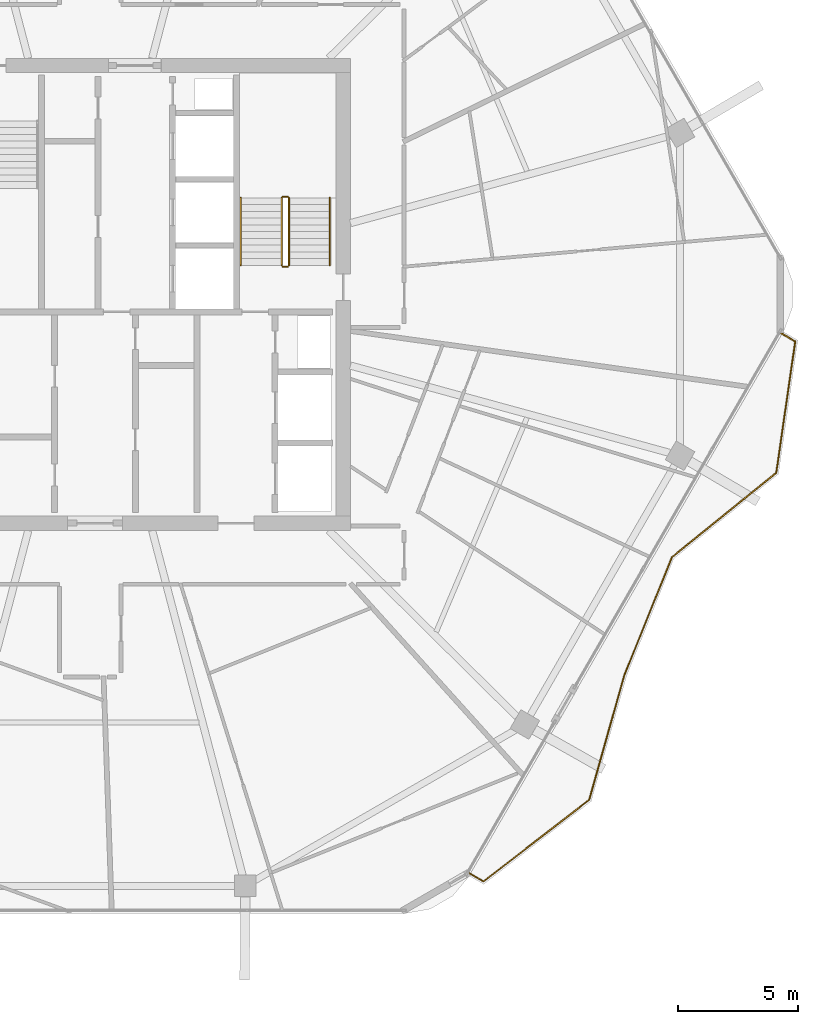
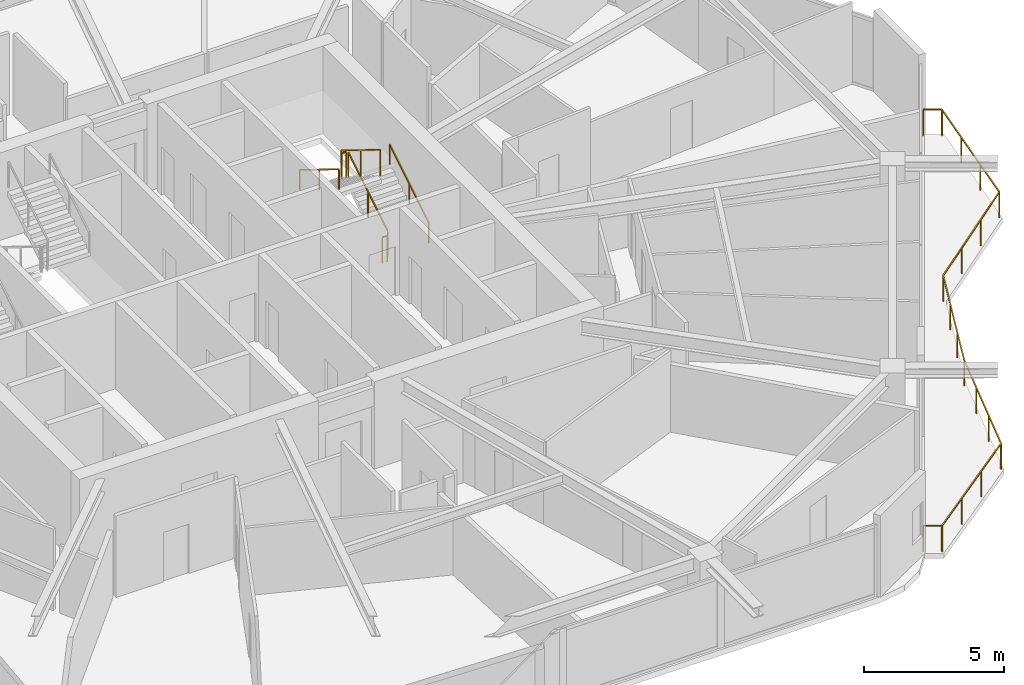
# One storey, part 24 of 25: 7 railings.
"""IFC4 building model written with IfcOpenShell, lengths in metres."""

from ifc_helpers import new_model, si_unit, direction, frame, origin, origin_2d, place, context, subcontext, project, spatial, rectangle, extrude, material, type_object, element, save


model = new_model("IFC4")

# Units and contexts
model_context = context("Model", 3, precision=1e-05, world=origin(), true_north=direction((0.0, 1.0)))
body_context = subcontext(model_context, "Body", "Model", "MODEL_VIEW")
ifc_project = project(units=[si_unit("LENGTHUNIT", "METRE"), si_unit("AREAUNIT", "SQUARE_METRE"), si_unit("VOLUMEUNIT", "CUBIC_METRE"), si_unit("PLANEANGLEUNIT", "RADIAN"), si_unit("MASSUNIT", "GRAM", prefix="KILO")], contexts=[model_context])

# Site, building, storey
site_placement = place(None, origin())
site = spatial("IfcSite", under=ifc_project, at=site_placement, CompositionType="ELEMENT")
building_placement = place(site_placement, origin())
building = spatial("IfcBuilding", under=site, at=building_placement, Name="Zuhravey Tower", CompositionType="ELEMENT")
storey_placement = place(building_placement, frame((0.0, 0.0, 235.0)))
storey = spatial("IfcBuildingStorey", under=building, at=storey_placement, Name="L59", CompositionType="ELEMENT", Elevation=235.0)

# Railings
ifc_material_1 = material(Name="Stainless steel 316 and laminated glass", Category="steel")
railing_type_1 = type_object("IfcRailingType", Name="Balcony & Terrace Guardrail 1150", PredefinedType="BALUSTRADE", material=ifc_material_1)
railing_1_placement = place(storey_placement, frame((64.68310546875, 30.38330078125, 0.0)))
element("IfcRailing", 1, at=railing_1_placement, inside=storey, type_object=railing_type_1, Name="L59 Face 6 Wave Balcony Guardrail GR1", PredefinedType="BALUSTRADE", context=body_context, shape_type="SweptSolid", body=[
    extrude(rectangle(XDim=0.048095703125, YDim=0.048095703125, at=origin_2d()), frame((0.001708984375, -0.0009765625, 1.1259765625), z_axis=(0.866179539737, -0.499732933617, 0.0), x_axis=(0.499732933617, 0.866179539737, 0.0)), (0.0, 0.0, 1.0), 0.668212890625),
    extrude(rectangle(XDim=0.048095703125, YDim=0.048095703125, at=origin_2d()), frame((0.58203125, -0.337890625, 1.1259765625), z_axis=(-0.142872523285, -0.989741098515, 0.0), x_axis=(0.989741098515, -0.142872523285, 0.0)), (0.0, 0.0, 1.0), 5.5068359375),
    extrude(rectangle(XDim=0.048095703125, YDim=0.048095703125, at=origin_2d()), frame((-0.20654296875, -5.79150390625, 1.1259765625), z_axis=(-0.777495644755, -0.628888322668, 0.0), x_axis=(0.628888322668, -0.777495644755, 0.0)), (0.0, 0.0, 1.0), 5.57177734375),
    extrude(rectangle(XDim=0.048095703125, YDim=0.048095703125, at=origin_2d()), frame((-4.541015625, -9.298828125, 1.1259765625), z_axis=(-0.373224411215, -0.927741094742, 0.0), x_axis=(0.927741094742, -0.373224411215, 0.0)), (0.0, 0.0, 1.0), 5.29638671875),
    extrude(rectangle(XDim=0.048095703125, YDim=0.048095703125, at=origin_2d()), frame((-6.51904296875, -14.21630859375, 1.1259765625), z_axis=(-0.271533809099, -0.962428901538, 0.0), x_axis=(0.962428901538, -0.271533809099, 0.0)), (0.0, 0.0, 1.0), 5.350341796875),
    extrude(rectangle(XDim=0.048095703125, YDim=0.048095703125, at=origin_2d()), frame((-7.973876953125, -19.36865234375, 1.1259765625), z_axis=(-0.79172866707, -0.610872914557, 0.0), x_axis=(0.610872914557, -0.79172866707, 0.0)), (0.0, 0.0, 1.0), 5.5361328125),
    extrude(rectangle(XDim=0.048095703125, YDim=0.048095703125, at=origin_2d()), frame((-12.3603515625, -22.750732421875, 1.1259765625), z_axis=(-0.866046626695, 0.499963239039, 0.0), x_axis=(-0.499963239039, -0.866046626695, 0.0)), (0.0, 0.0, 1.0), 0.6689453125),
    extrude(rectangle(XDim=0.0419921875, YDim=0.0419921875, at=origin_2d()), origin(), (0.0, 0.0, 1.0), 1.099853515625),
    extrude(rectangle(XDim=0.0419921875, YDim=0.0419921875, at=origin_2d()), frame((0.582275390625, -0.3359375, 0.0)), (0.0, 0.0, 1.0), 1.099853515625),
    extrude(rectangle(XDim=0.0419921875, YDim=0.0419921875, at=origin_2d()), frame((0.31982421875, -2.154052734375, 0.0)), (0.0, 0.0, 1.0), 1.099853515625),
    extrude(rectangle(XDim=0.0419921875, YDim=0.0419921875, at=origin_2d()), frame((0.057373046875, -3.97216796875, 0.0)), (0.0, 0.0, 1.0), 1.099853515625),
    extrude(rectangle(XDim=0.0419921875, YDim=0.0419921875, at=origin_2d()), frame((-0.205078125, -5.790283203125, 0.0)), (0.0, 0.0, 1.0), 1.099853515625),
    extrude(rectangle(XDim=0.0419921875, YDim=0.0419921875, at=origin_2d()), frame((-1.650146484375, -6.959228515625, 0.0)), (0.0, 0.0, 1.0), 1.099853515625),
    extrude(rectangle(XDim=0.0419921875, YDim=0.0419921875, at=origin_2d()), frame((-3.09521484375, -8.1279296875, 0.0)), (0.0, 0.0, 1.0), 1.099853515625),
    extrude(rectangle(XDim=0.0419921875, YDim=0.0419921875, at=origin_2d()), frame((-4.540283203125, -9.296875, 0.0)), (0.0, 0.0, 1.0), 1.099853515625),
    extrude(rectangle(XDim=0.0419921875, YDim=0.0419921875, at=origin_2d()), frame((-5.19970703125, -10.93603515625, 0.0)), (0.0, 0.0, 1.0), 1.099853515625),
    extrude(rectangle(XDim=0.0419921875, YDim=0.0419921875, at=origin_2d()), frame((-5.859130859375, -12.5751953125, 0.0)), (0.0, 0.0, 1.0), 1.099853515625),
    extrude(rectangle(XDim=0.0419921875, YDim=0.0419921875, at=origin_2d()), frame((-6.5185546875, -14.21435546875, 0.0)), (0.0, 0.0, 1.0), 1.099853515625),
    extrude(rectangle(XDim=0.0419921875, YDim=0.0419921875, at=origin_2d()), frame((-7.003173828125, -15.93212890625, 0.0)), (0.0, 0.0, 1.0), 1.099853515625),
    extrude(rectangle(XDim=0.0419921875, YDim=0.0419921875, at=origin_2d()), frame((-7.48779296875, -17.649658203125, 0.0)), (0.0, 0.0, 1.0), 1.099853515625),
    extrude(rectangle(XDim=0.0419921875, YDim=0.0419921875, at=origin_2d()), frame((-7.972412109375, -19.367431640625, 0.0)), (0.0, 0.0, 1.0), 1.099853515625),
    extrude(rectangle(XDim=0.0419921875, YDim=0.0419921875, at=origin_2d()), frame((-9.4345703125, -20.49560546875, 0.0)), (0.0, 0.0, 1.0), 1.099853515625),
    extrude(rectangle(XDim=0.0419921875, YDim=0.0419921875, at=origin_2d()), frame((-10.896484375, -21.62353515625, 0.0)), (0.0, 0.0, 1.0), 1.099853515625),
    extrude(rectangle(XDim=0.0419921875, YDim=0.0419921875, at=origin_2d()), frame((-12.358642578125, -22.751708984375, 0.0)), (0.0, 0.0, 1.0), 1.099853515625),
    extrude(rectangle(XDim=0.0419921875, YDim=0.0419921875, at=origin_2d()), frame((-12.94140625, -22.415283203125, 0.0)), (0.0, 0.0, 1.0), 1.099853515625),
])
ifc_material_2 = material(Name="Brushed stainless steel", Category="steel")
railing_type_2 = type_object("IfcRailingType", Name="Stair Wall Handrail 900", PredefinedType="HANDRAIL", material=ifc_material_2)
railing_2_placement = place(storey_placement, frame((45.949951171875, 33.199951171875, 0.172607421875)))
element("IfcRailing", 2, at=railing_2_placement, inside=storey, type_object=railing_type_2, Name="L59 ST2 stair handrail 1", PredefinedType="HANDRAIL", context=body_context, shape_type="SweptSolid", body=[
    extrude(rectangle(XDim=0.048095703125, YDim=0.048095703125, at=origin_2d()), frame((0.0, 0.001708984375, 0.876953125), z_axis=(0.0, 0.851089632645, 0.525020415988), x_axis=(-1.0, 0.0, 0.0)), (0.0, 0.0, 1.0), 3.285888671875),
    extrude(rectangle(XDim=0.0419921875, YDim=0.0419921875, at=origin_2d()), origin(), (0.0, 0.0, 1.0), 0.849853515625),
    extrude(rectangle(XDim=0.0419921875, YDim=0.0419921875, at=origin_2d()), frame((0.0, 1.39990234375, 0.86376953125)), (0.0, 0.0, 1.0), 0.849853515625),
    extrude(rectangle(XDim=0.0419921875, YDim=0.0419921875, at=origin_2d()), frame((0.0, 2.800048828125, 1.727294921875)), (0.0, 0.0, 1.0), 0.849853515625),
])
railing_3_placement = place(storey_placement, frame((42.25, 36.0, 2.07275390625)))
element("IfcRailing", 3, at=railing_3_placement, inside=storey, type_object=railing_type_2, Name="L59 ST2 stair handrail 2", PredefinedType="HANDRAIL", context=body_context, shape_type="SweptSolid", body=[
    extrude(rectangle(XDim=0.048095703125, YDim=0.048095703125, at=origin_2d()), frame((0.0, -0.001708984375, 0.876953125), z_axis=(0.0, -0.851089632645, 0.525020415988), x_axis=(1.0, 0.0, 0.0)), (0.0, 0.0, 1.0), 3.285888671875),
    extrude(rectangle(XDim=0.0419921875, YDim=0.0419921875, at=origin_2d()), origin(), (0.0, 0.0, 1.0), 0.849853515625),
    extrude(rectangle(XDim=0.0419921875, YDim=0.0419921875, at=origin_2d()), frame((0.0, -1.39990234375, 0.86376953125)), (0.0, 0.0, 1.0), 0.849853515625),
    extrude(rectangle(XDim=0.0419921875, YDim=0.0419921875, at=origin_2d()), frame((0.0, -2.800048828125, 1.727294921875)), (0.0, 0.0, 1.0), 0.849853515625),
])
ifc_material_3 = material(Name="Painted tubular steel", Category="steel")
railing_type_3 = type_object("IfcRailingType", Name="Stair Well Guardrail 1150", PredefinedType="GUARDRAIL", material=ifc_material_3)
railing_4_placement = place(storey_placement, frame((44.25, 33.199951171875, 0.172607421875)))
element("IfcRailing", 4, at=railing_4_placement, inside=storey, type_object=railing_type_3, Name="L59 ST2 stair guard 1", PredefinedType="GUARDRAIL", context=body_context, shape_type="SweptSolid", body=[
    extrude(rectangle(XDim=0.048095703125, YDim=0.048095703125, at=origin_2d()), frame((0.0, 0.001708984375, 1.126953125), z_axis=(0.0, 0.851089632645, 0.525020415988), x_axis=(-1.0, 0.0, 0.0)), (0.0, 0.0, 1.0), 3.285888671875),
    extrude(rectangle(XDim=0.0419921875, YDim=0.0419921875, at=origin_2d()), origin(), (0.0, 0.0, 1.0), 1.099853515625),
    extrude(rectangle(XDim=0.0419921875, YDim=0.0419921875, at=origin_2d()), frame((0.0, 1.39990234375, 0.86376953125)), (0.0, 0.0, 1.0), 1.099853515625),
    extrude(rectangle(XDim=0.0419921875, YDim=0.0419921875, at=origin_2d()), frame((0.0, 2.800048828125, 1.727294921875)), (0.0, 0.0, 1.0), 1.099853515625),
])
railing_5_placement = place(storey_placement, frame((44.199951171875, 36.050048828125, 1.89990234375)))
element("IfcRailing", 5, at=railing_5_placement, inside=storey, type_object=railing_type_3, Name="L59 ST2 stair guard 2", PredefinedType="GUARDRAIL", context=body_context, shape_type="SweptSolid", body=[
    extrude(rectangle(XDim=0.048095703125, YDim=0.048095703125, at=origin_2d()), frame((-0.001953125, 0.0, 1.1259765625), z_axis=(-1.0, 0.0, 0.0), x_axis=(0.0, -1.0, 0.0)), (0.0, 0.0, 1.0), 0.196044921875),
    extrude(rectangle(XDim=0.0419921875, YDim=0.0419921875, at=origin_2d()), origin(), (0.0, 0.0, 1.0), 1.099853515625),
    extrude(rectangle(XDim=0.0419921875, YDim=0.0419921875, at=origin_2d()), frame((-0.199951171875, 0.0, 0.0)), (0.0, 0.0, 1.0), 1.099853515625),
])
railing_6_placement = place(storey_placement, frame((43.949951171875, 36.0, 2.07275390625)))
element("IfcRailing", 6, at=railing_6_placement, inside=storey, type_object=railing_type_3, Name="L59 ST2 stair guard 3", PredefinedType="GUARDRAIL", context=body_context, shape_type="SweptSolid", body=[
    extrude(rectangle(XDim=0.048095703125, YDim=0.048095703125, at=origin_2d()), frame((0.0, -0.001708984375, 1.126953125), z_axis=(0.0, -0.851089632645, 0.525020415988), x_axis=(1.0, 0.0, 0.0)), (0.0, 0.0, 1.0), 3.285888671875),
    extrude(rectangle(XDim=0.0419921875, YDim=0.0419921875, at=origin_2d()), origin(), (0.0, 0.0, 1.0), 1.099853515625),
    extrude(rectangle(XDim=0.0419921875, YDim=0.0419921875, at=origin_2d()), frame((0.0, -1.39990234375, 0.86376953125)), (0.0, 0.0, 1.0), 1.099853515625),
    extrude(rectangle(XDim=0.0419921875, YDim=0.0419921875, at=origin_2d()), frame((0.0, -2.800048828125, 1.727294921875)), (0.0, 0.0, 1.0), 1.099853515625),
])
railing_7_placement = place(storey_placement, frame((44.199951171875, 33.14990234375, 0.0)))
element("IfcRailing", 7, at=railing_7_placement, inside=storey, type_object=railing_type_3, Name="L59 ST2 stair guard 4", PredefinedType="GUARDRAIL", context=body_context, shape_type="SweptSolid", body=[
    extrude(rectangle(XDim=0.048095703125, YDim=0.048095703125, at=origin_2d()), frame((-0.001953125, 0.0, 1.1259765625), z_axis=(-1.0, 0.0, 0.0), x_axis=(0.0, -1.0, 0.0)), (0.0, 0.0, 1.0), 0.196044921875),
    extrude(rectangle(XDim=0.0419921875, YDim=0.0419921875, at=origin_2d()), origin(), (0.0, 0.0, 1.0), 1.099853515625),
    extrude(rectangle(XDim=0.0419921875, YDim=0.0419921875, at=origin_2d()), frame((-0.199951171875, 0.0, 0.0)), (0.0, 0.0, 1.0), 1.099853515625),
])

save(model, "model.ifc")
